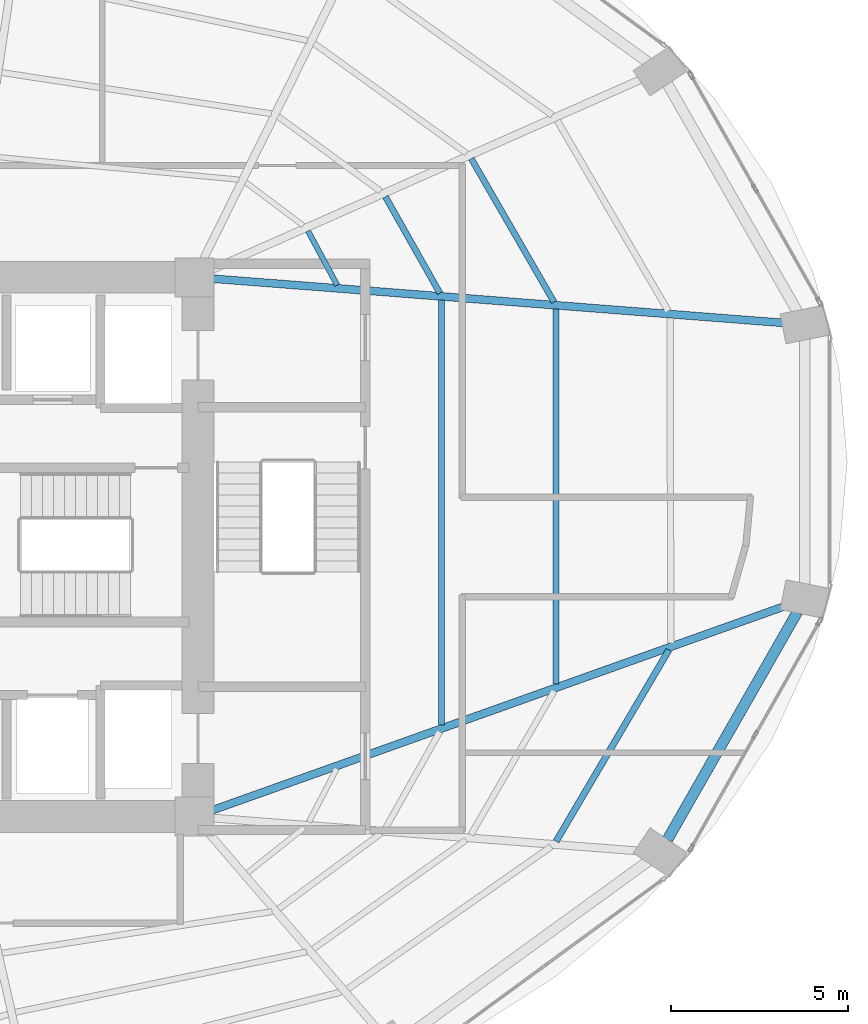
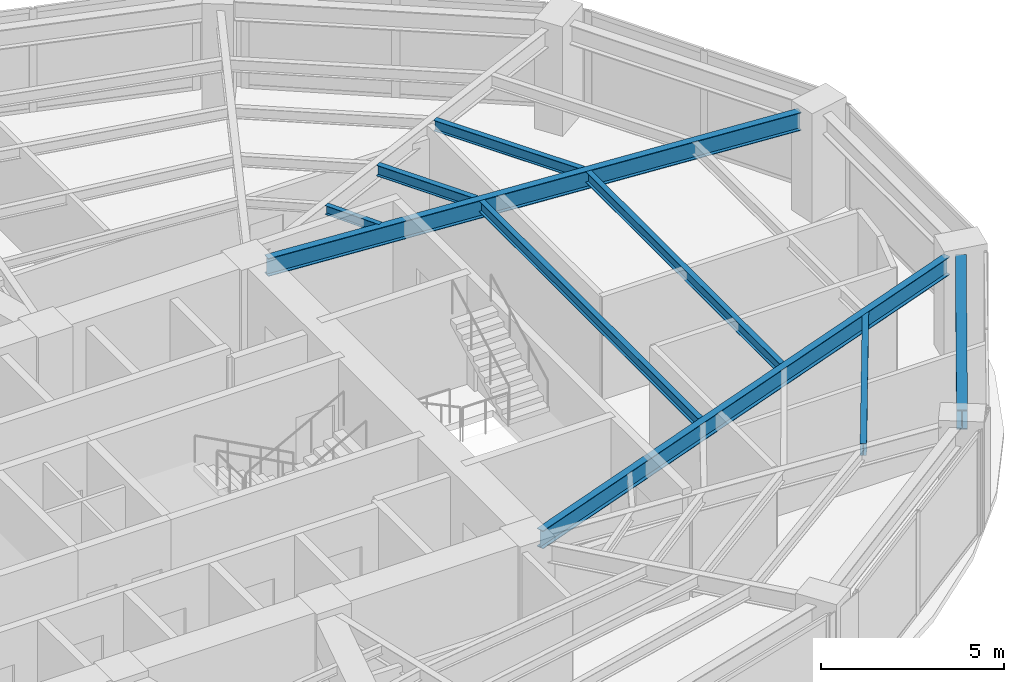
# One storey, part 12 of 25: 9 beams.
"""IFC4 building model written with IfcOpenShell, lengths in metres."""

from ifc_helpers import new_model, si_unit, direction, frame, origin, origin_2d, place, context, subcontext, project, spatial, i_section, extrude, material, material_profile, profile_set, type_object, element, save


model = new_model("IFC4")

# Units and contexts
model_context = context("Model", 3, precision=1e-05, world=origin(), true_north=direction((0.0, 1.0)))
body_context = subcontext(model_context, "Body", "Model", "MODEL_VIEW")
ifc_project = project(units=[si_unit("LENGTHUNIT", "METRE"), si_unit("AREAUNIT", "SQUARE_METRE"), si_unit("VOLUMEUNIT", "CUBIC_METRE"), si_unit("PLANEANGLEUNIT", "RADIAN"), si_unit("MASSUNIT", "GRAM", prefix="KILO")], contexts=[model_context])

# Site, building, storey
site_placement = place(None, origin())
site = spatial("IfcSite", under=ifc_project, at=site_placement, CompositionType="ELEMENT")
building_placement = place(site_placement, origin())
building = spatial("IfcBuilding", under=site, at=building_placement, Name="Lazwardi Medical Tower", CompositionType="ELEMENT")
storey_placement = place(building_placement, frame((0.0, 0.0, 43.43994140625)))
storey = spatial("IfcBuildingStorey", under=building, at=storey_placement, Name="L10", CompositionType="ELEMENT", Elevation=43.43994140625)

# Beams
ifc_material = material(Name="Steel S355", Category="steel")
ifc_material_profile_1 = material_profile(ifc_material, i_section(OverallWidth=0.300048828125, OverallDepth=0.64990234375, WebThickness=0.01611328125, FlangeThickness=0.031005859375, at=origin_2d()), Name="HEB 650")
ifc_profile_set_1 = profile_set([ifc_material_profile_1], Name="Steel S355")
beam_type_1 = type_object("IfcBeamType", Name="BM-RB-Z1", PredefinedType="BEAM", material=ifc_profile_set_1)
beam_1_placement = place(storey_placement, frame((58.927978515625, 19.75048828125, 3.10302734375), z_axis=(0.495829348644, 0.868419977328, 0.0), x_axis=(-0.868419977328, 0.495829348644, 0.0)))
element("IfcBeam", 1, at=beam_1_placement, inside=storey, type_object=beam_type_1, Name="Ring beam RB-02 B03 L10", PredefinedType="BEAM", context=body_context, shape_type="SweptSolid", body=[
    extrude(i_section(OverallWidth=0.300048828125, OverallDepth=0.64990234375, WebThickness=0.01611328125, FlangeThickness=0.031005859375, at=origin_2d()), origin(), (0.0, 0.0, 1.0), 7.38916015625),
])
ifc_material_profile_2 = material_profile(ifc_material, i_section(OverallWidth=0.219970703125, OverallDepth=0.60009765625, WebThickness=0.011962890625, FlangeThickness=0.01904296875, at=origin_2d()), Name="IPE 600")
ifc_profile_set_2 = profile_set([ifc_material_profile_2], Name="Steel S355")
beam_type_2 = type_object("IfcBeamType", Name="BM-RG-W1", PredefinedType="BEAM", material=ifc_profile_set_2)
beam_2_placement = place(storey_placement, frame((62.253662109375, 26.33740234375, 3.128173828125), z_axis=(-0.941925080425, -0.335823082688, 0.0), x_axis=(0.335823082688, -0.941925080425, 0.0)))
element("IfcBeam", 2, at=beam_2_placement, inside=storey, type_object=beam_type_2, Name="Radial girder RG-02 R04 L10", PredefinedType="BEAM", context=body_context, shape_type="SweptSolid", body=[
    extrude(i_section(OverallWidth=0.219970703125, OverallDepth=0.60009765625, WebThickness=0.011962890625, FlangeThickness=0.01904296875, at=origin_2d()), origin(), (0.0, 0.0, 1.0), 17.145263671875),
])
beam_3_placement = place(storey_placement, frame((62.2216796875, 34.3125, 3.128173828125), z_axis=(-0.997013942066, 0.077221754231, 0.0), x_axis=(-0.077221754231, -0.997013942066, 0.0)))
element("IfcBeam", 3, at=beam_3_placement, inside=storey, type_object=beam_type_2, Name="Radial girder RG-02 R05 L10", PredefinedType="BEAM", context=body_context, shape_type="SweptSolid", body=[
    extrude(i_section(OverallWidth=0.219970703125, OverallDepth=0.60009765625, WebThickness=0.011962890625, FlangeThickness=0.01904296875, at=origin_2d()), origin(), (0.0, 0.0, 1.0), 16.136474609375),
])
ifc_material_profile_3 = material_profile(ifc_material, i_section(OverallWidth=0.179931640625, OverallDepth=0.39990234375, WebThickness=0.008544921875, FlangeThickness=0.013427734375, at=origin_2d()), Name="IPE 400")
ifc_profile_set_3 = profile_set([ifc_material_profile_3], Name="Steel S355")
beam_type_3 = type_object("IfcBeamType", Name="BM-SJ-01", PredefinedType="JOIST", material=ifc_profile_set_3)
beam_4_placement = place(storey_placement, frame((55.793212890625, 19.70654296875, 3.22802734375), z_axis=(0.507886270937, 0.861424132349, 0.0), x_axis=(-0.861424132349, 0.507886270937, 0.0)))
element("IfcBeam", 4, at=beam_4_placement, inside=storey, type_object=beam_type_3, Name="Secondary joist SJ-01 R1 B03 L10", PredefinedType="JOIST", context=body_context, shape_type="SweptSolid", body=[
    extrude(i_section(OverallWidth=0.179931640625, OverallDepth=0.39990234375, WebThickness=0.008544921875, FlangeThickness=0.013427734375, at=origin_2d()), origin(), (0.0, 0.0, 1.0), 6.255859375),
])
ifc_material_profile_4 = material_profile(ifc_material, i_section(OverallWidth=0.169921875, OverallDepth=0.360107421875, WebThickness=0.008056640625, FlangeThickness=0.0126953125, at=origin_2d()), Name="IPE 360")
ifc_profile_set_4 = profile_set([ifc_material_profile_4], Name="Steel S355")
beam_type_4 = type_object("IfcBeamType", Name="BM-SJ-02", PredefinedType="JOIST", material=ifc_profile_set_4)
beam_5_placement = place(storey_placement, frame((55.793701171875, 24.139404296875, 3.248046875), z_axis=(-0.000670039821, 0.999999775523, 0.0), x_axis=(-0.999999775523, -0.000670039821, 0.0)))
element("IfcBeam", 5, at=beam_5_placement, inside=storey, type_object=beam_type_4, Name="Secondary joist SJ-02 R2 B04 L10", PredefinedType="JOIST", context=body_context, shape_type="SweptSolid", body=[
    extrude(i_section(OverallWidth=0.169921875, OverallDepth=0.360107421875, WebThickness=0.008056640625, FlangeThickness=0.0126953125, at=origin_2d()), origin(), (0.0, 0.0, 1.0), 10.566650390625),
])
beam_6_placement = place(storey_placement, frame((55.73388671875, 34.90185546875, 3.248046875), z_axis=(-0.499785866494, 0.866148998529, 0.0), x_axis=(-0.866148998529, -0.499785866494, 0.0)))
element("IfcBeam", 6, at=beam_6_placement, inside=storey, type_object=beam_type_4, Name="Secondary joist SJ-02 R2 B05 L10", PredefinedType="JOIST", context=body_context, shape_type="SweptSolid", body=[
    extrude(i_section(OverallWidth=0.169921875, OverallDepth=0.360107421875, WebThickness=0.008056640625, FlangeThickness=0.0126953125, at=origin_2d()), origin(), (0.0, 0.0, 1.0), 4.666015625),
])
beam_7_placement = place(storey_placement, frame((52.56396484375, 22.98779296875, 3.248046875), z_axis=(0.000387612685, 0.999999924878, 0.0), x_axis=(-0.999999924878, 0.000387612685, 0.0)))
element("IfcBeam", 7, at=beam_7_placement, inside=storey, type_object=beam_type_4, Name="Secondary joist SJ-02 R3 B04 L10", PredefinedType="JOIST", context=body_context, shape_type="SweptSolid", body=[
    extrude(i_section(OverallWidth=0.169921875, OverallDepth=0.360107421875, WebThickness=0.008056640625, FlangeThickness=0.0126953125, at=origin_2d()), origin(), (0.0, 0.0, 1.0), 11.96728515625),
])
beam_8_placement = place(storey_placement, frame((52.51708984375, 35.151611328125, 3.248046875), z_axis=(-0.491923287977, 0.870638546554, 0.0), x_axis=(-0.870638546554, -0.491923287977, 0.0)))
element("IfcBeam", 8, at=beam_8_placement, inside=storey, type_object=beam_type_4, Name="Secondary joist SJ-02 R3 B05 L10", PredefinedType="JOIST", context=body_context, shape_type="SweptSolid", body=[
    extrude(i_section(OverallWidth=0.169921875, OverallDepth=0.360107421875, WebThickness=0.008056640625, FlangeThickness=0.0126953125, at=origin_2d()), origin(), (0.0, 0.0, 1.0), 3.122802734375),
])
ifc_material_profile_5 = material_profile(ifc_material, i_section(OverallWidth=0.14990234375, OverallDepth=0.300048828125, WebThickness=0.007080078125, FlangeThickness=0.0107421875, at=origin_2d()), Name="IPE 300")
ifc_profile_set_5 = profile_set([ifc_material_profile_5], Name="Steel S355")
beam_type_5 = type_object("IfcBeamType", Name="BM-SJ-03", PredefinedType="JOIST", material=ifc_profile_set_5)
beam_9_placement = place(storey_placement, frame((49.623046875, 35.376953125, 3.278076171875), z_axis=(-0.473982292828, 0.880534375301, 0.0), x_axis=(-0.880534375301, -0.473982292828, 0.0)))
element("IfcBeam", 9, at=beam_9_placement, inside=storey, type_object=beam_type_5, Name="Secondary joist SJ-03 R4 B05 L10", PredefinedType="JOIST", context=body_context, shape_type="SweptSolid", body=[
    extrude(i_section(OverallWidth=0.14990234375, OverallDepth=0.300048828125, WebThickness=0.007080078125, FlangeThickness=0.0107421875, at=origin_2d()), origin(), (0.0, 0.0, 1.0), 1.734375),
])

save(model, "model.ifc")
